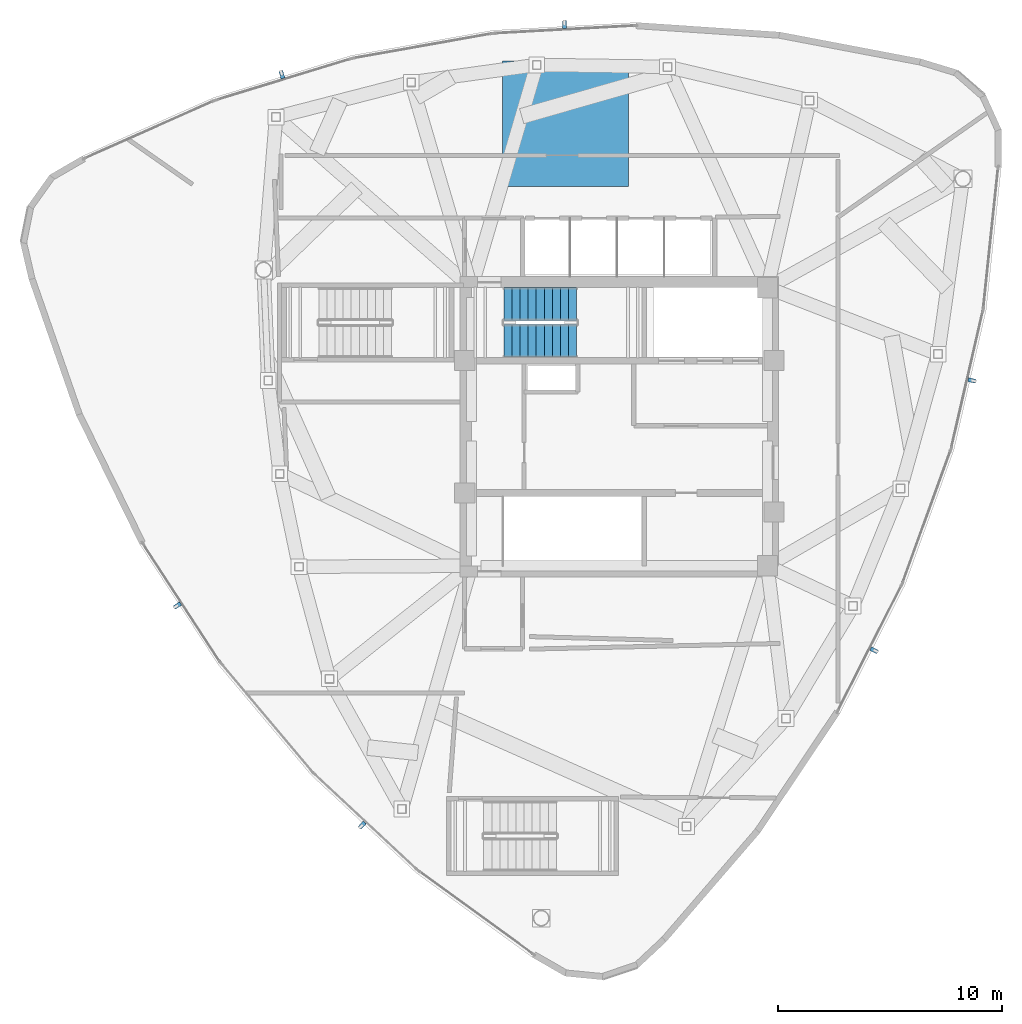
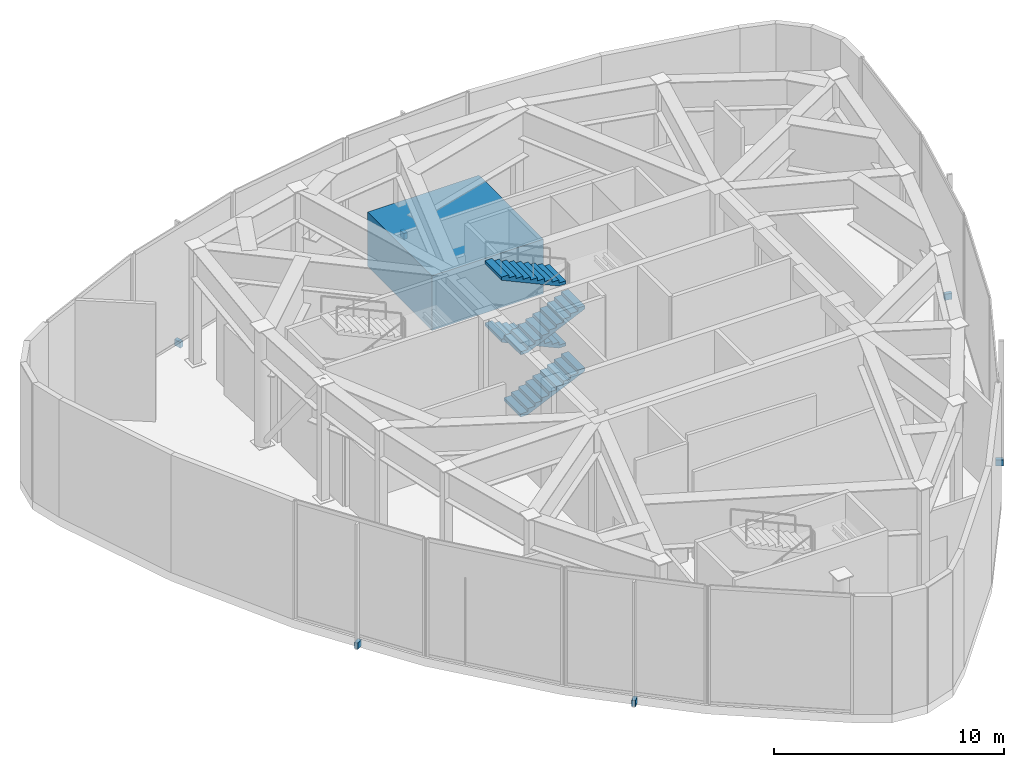
# One storey, part 10 of 13: 7 discrete accessories, 4 stair flights, 1 element without a shape of its own.
"""IFC4 building model written with IfcOpenShell, lengths in metres."""

import ifcopenshell
import ifcopenshell.guid

model = None  # the IFC model being written
_history = None  # IfcOwnerHistory: only IFC2X3 demands one
_inside = {}  # id of a spatial element -> (the spatial element, [elements in it])
_under = {}  # id of a project, library or spatial element -> (it, [spatial elements below it])
_declared = {}  # id of a project -> (the project, [libraries it declares])
_typed = {}  # id of a type object -> (the type object, [elements of that type])
_made_of = {}  # id of a material, layer set ... -> (it, [elements and type objects made of it])


def new_model(schema):
    """Start an empty IFC model of exactly this schema.

    Asked for "IFC4X3", IfcOpenShell would pick the latest addendum, in which some entities
    have other attributes; the version numbers below select the first issue.
    IFC2X3 requires an IfcOwnerHistory on every rooted entity: one is made here for all.
    """
    global model, _history
    if schema == "IFC4X3":
        model = ifcopenshell.file(schema_version=(4, 3, 0, 0))
    else:
        model = ifcopenshell.file(schema=schema)
    _inside.clear()
    _under.clear()
    _declared.clear()
    _typed.clear()
    _made_of.clear()
    _history = None
    if model.schema == "IFC2X3":
        org = make("IfcOrganization", Name="unknown")
        user = make(
            "IfcPersonAndOrganization",
            ThePerson=make("IfcPerson", FamilyName="unknown"),
            TheOrganization=org,
        )
        app = make(
            "IfcApplication",
            ApplicationDeveloper=org,
            Version="unknown",
            ApplicationFullName="unknown",
            ApplicationIdentifier="unknown",
        )
        _history = make(
            "IfcOwnerHistory",
            OwningUser=user,
            OwningApplication=app,
            ChangeAction="ADDED",
            CreationDate=0,
        )
    return model


def make(cls, **values):
    """One entity of the class cls with the attributes given. An attribute that is None is left unset."""
    return model.create_entity(
        cls, **{name: value for name, value in values.items() if value is not None}
    )


def rooted(cls, **values):
    """An entity with a GlobalId (a new one), such as an element, a storey or a relation."""
    return make(cls, GlobalId=ifcopenshell.guid.new(), OwnerHistory=_history, **values)


def si_unit(unit_type, name, prefix=None):
    """IfcSIUnit, for example si_unit("LENGTHUNIT", "METRE", prefix="MILLI")."""
    return make("IfcSIUnit", UnitType=unit_type, Prefix=prefix, Name=name)


def assignment(units):
    """IfcUnitAssignment: the units of a project."""
    return None if units is None else make("IfcUnitAssignment", Units=units)


def point(xyz):
    """IfcCartesianPoint."""
    return None if xyz is None else make("IfcCartesianPoint", Coordinates=xyz)


def direction(xyz):
    """IfcDirection."""
    return None if xyz is None else make("IfcDirection", DirectionRatios=xyz)


def frame(location, z_axis=None, x_axis=None):
    """IfcAxis2Placement3D, a coordinate frame: its origin and axes. An axis left out is left unset."""
    return make(
        "IfcAxis2Placement3D",
        Location=point(location),
        Axis=direction(z_axis),
        RefDirection=direction(x_axis),
    )


def frame_2d(location, x_axis=None):
    """IfcAxis2Placement2D, a coordinate frame in the plane: its origin and x axis."""
    return make(
        "IfcAxis2Placement2D", Location=point(location), RefDirection=direction(x_axis)
    )


def origin():
    """The frame at (0, 0, 0) with its axes left unset."""
    return frame((0.0, 0.0, 0.0))


def origin_2d():
    """The frame at (0, 0) in the plane with its x axis left unset."""
    return frame_2d((0.0, 0.0))


def place(relative_to, where):
    """IfcLocalPlacement: puts the frame where relative to a parent placement (None: the world)."""
    return make(
        "IfcLocalPlacement", PlacementRelTo=relative_to, RelativePlacement=where
    )


def context(
    kind, dimensions, precision=None, world=None, true_north=None, identifier=None
):
    """IfcGeometricRepresentationContext, for example the 3D "Model" context."""
    return make(
        "IfcGeometricRepresentationContext",
        ContextIdentifier=identifier,
        ContextType=kind,
        CoordinateSpaceDimension=dimensions,
        Precision=precision,
        WorldCoordinateSystem=world,
        TrueNorth=true_north,
    )


def subcontext(parent, identifier, kind, view, scale=None):
    """IfcGeometricRepresentationSubContext, for example "Body" below "Model"."""
    return make(
        "IfcGeometricRepresentationSubContext",
        ContextIdentifier=identifier,
        ContextType=kind,
        ParentContext=parent,
        TargetScale=scale,
        TargetView=view,
    )


def project(units=None, contexts=None):
    """IfcProject with its units and contexts."""
    return rooted(
        "IfcProject",
        Name="project",
        RepresentationContexts=contexts,
        UnitsInContext=assignment(units),
    )


def spatial(cls, under=None, at=None, **own):
    """A site, building, storey or space (cls), placed at a placement, below another one or the project."""
    s = rooted(cls, ObjectPlacement=at, **own)
    if under is not None:
        _under.setdefault(under.id(), (under, []))[1].append(s)
    return s


def polyline(points):
    """IfcPolyline through the points."""
    return make("IfcPolyline", Points=[point(p) for p in points])


def profile(cls, at=None, kind="AREA", **sizes):
    """A parametric profile (cls). Its sizes go by their IFC names, for example OverallWidth=200.0."""
    return make(cls, ProfileType=kind, Position=at, **sizes)


def rectangle(**sizes):
    """IfcRectangleProfileDef."""
    return profile("IfcRectangleProfileDef", **sizes)


def outline(outer, holes=None, kind="AREA"):
    """IfcArbitraryClosedProfileDef: a profile drawn as a closed curve; with holes, ...WithVoids."""
    if holes is None:
        return make("IfcArbitraryClosedProfileDef", ProfileType=kind, OuterCurve=outer)
    return make(
        "IfcArbitraryProfileDefWithVoids",
        ProfileType=kind,
        OuterCurve=outer,
        InnerCurves=holes,
    )


def extrude(swept, where, along, depth):
    """IfcExtrudedAreaSolid: the profile swept, set in the frame where, extruded along a direction by depth."""
    return make(
        "IfcExtrudedAreaSolid",
        SweptArea=swept,
        Position=where,
        ExtrudedDirection=direction(along),
        Depth=depth,
    )


def shape(context_of_items, identifier, shape_type, items):
    """IfcShapeRepresentation: the items that make up one representation, for example the "Body"."""
    return make(
        "IfcShapeRepresentation",
        ContextOfItems=context_of_items,
        RepresentationIdentifier=identifier,
        RepresentationType=shape_type,
        Items=items,
    )


def source(mapping_origin, context_of_items, identifier, shape_type, items):
    """IfcRepresentationMap: a shape defined once, which mapped items show again and again."""
    return make(
        "IfcRepresentationMap",
        MappingOrigin=mapping_origin,
        MappedRepresentation=shape(context_of_items, identifier, shape_type, items),
    )


def transform(
    local_origin,
    x_axis=None,
    y_axis=None,
    z_axis=None,
    scale=None,
    scale2=None,
    scale3=None,
    uniform=True,
):
    """IfcCartesianTransformationOperator3D, or its non-uniform kind. x_axis, y_axis, z_axis: its Axis1, 2, 3."""
    if uniform:
        return make(
            "IfcCartesianTransformationOperator3D",
            Axis1=direction(x_axis),
            Axis2=direction(y_axis),
            LocalOrigin=point(local_origin),
            Scale=scale,
            Axis3=direction(z_axis),
        )
    return make(
        "IfcCartesianTransformationOperator3DnonUniform",
        Axis1=direction(x_axis),
        Axis2=direction(y_axis),
        LocalOrigin=point(local_origin),
        Scale=scale,
        Axis3=direction(z_axis),
        Scale2=scale2,
        Scale3=scale3,
    )


def mapped(mapping_source, mapping_target):
    """IfcMappedItem: shows the shape of a source again, moved by a transform."""
    return make(
        "IfcMappedItem", MappingSource=mapping_source, MappingTarget=mapping_target
    )


def material(Name=None, Category=None):
    """IfcMaterial."""
    return make("IfcMaterial", Name=Name, Category=Category)


def made_of(thing, what):
    """Note that an element or type object is made of a material, layer set ...; save() writes the relation."""
    if what is not None:
        _made_of.setdefault(what.id(), (what, []))[1].append(thing)
    return thing


def type_object(cls, material=None, **own):
    """A type object (cls), such as IfcWallType, which elements share."""
    return made_of(rooted(cls, **own), material)


def type_shapes(of_type, sources):
    """Give a type object the sources (RepresentationMaps) that its elements show as mapped items."""
    of_type.RepresentationMaps = sources


def element(
    cls,
    number,
    at=None,
    inside=None,
    cuts=None,
    type_object=None,
    material=None,
    context=None,
    identifier="Body",
    shape_type=None,
    held_by="IfcProductDefinitionShape",
    body=None,
    shapes=None,
    **own,
):
    """One element of the class cls, such as IfcWall. Its Tag is "e" and its number.

    at: its placement. inside: the storey or other place that contains it. cuts: it is an
    opening in that element (IfcRelVoidsElement). A single representation is given by context,
    identifier, shape_type and body (its items); several are given by shapes. held_by: the class
    of the entity that holds the representations. save() writes the other relations.
    """
    e = rooted(cls, Tag="e%d" % number, ObjectPlacement=at, **own)
    if body is not None:
        shapes = [shape(context, identifier, shape_type, body)]
    if shapes is not None:
        e.Representation = make(held_by, Representations=shapes)
    if inside is not None:
        _inside.setdefault(inside.id(), (inside, []))[1].append(e)
    if cuts is not None:
        rooted(
            "IfcRelVoidsElement", RelatingBuildingElement=cuts, RelatedOpeningElement=e
        )
    if type_object is not None:
        _typed.setdefault(type_object.id(), (type_object, []))[1].append(e)
    return made_of(e, material)


def aggregate(whole, parts):
    """IfcRelAggregates: a whole, such as a stair, and the parts it consists of."""
    return rooted("IfcRelAggregates", RelatingObject=whole, RelatedObjects=parts)


def save(model, path):
    """Write the relations noted so far, then the file.

    IfcRelAggregates (storeys below a building ...), IfcRelContainedInSpatialStructure (elements
    in a storey), IfcRelDefinesByType, IfcRelAssociatesMaterial and IfcRelDeclares: one each for
    every whole, place, type object, material and project.
    """
    for whole, parts in _under.values():
        aggregate(whole, parts)
    for where, things in _inside.values():
        rooted(
            "IfcRelContainedInSpatialStructure",
            RelatedElements=things,
            RelatingStructure=where,
        )
    for kind, things in _typed.values():
        rooted("IfcRelDefinesByType", RelatedObjects=things, RelatingType=kind)
    for what, things in _made_of.values():
        rooted("IfcRelAssociatesMaterial", RelatedObjects=things, RelatingMaterial=what)
    for by, libraries in _declared.values():
        rooted("IfcRelDeclares", RelatingContext=by, RelatedDefinitions=libraries)
    model.write(path)


model = new_model("IFC4")

# Units and contexts
model_context = context("Model", 3, precision=1e-05, world=origin(), true_north=direction((0.0, 1.0)))
body_context = subcontext(model_context, "Body", "Model", "MODEL_VIEW")
ifc_project = project(units=[si_unit("LENGTHUNIT", "METRE"), si_unit("AREAUNIT", "SQUARE_METRE"), si_unit("VOLUMEUNIT", "CUBIC_METRE"), si_unit("PLANEANGLEUNIT", "RADIAN"), si_unit("MASSUNIT", "GRAM", prefix="KILO")], contexts=[model_context])

# Site, building, storey
site_placement = place(None, origin())
site = spatial("IfcSite", under=ifc_project, at=site_placement, CompositionType="ELEMENT")
building_placement = place(site_placement, origin())
building = spatial("IfcBuilding", under=site, at=building_placement, Name="Tavelor Broadcast Tower", CompositionType="ELEMENT")
storey_placement = place(building_placement, frame((0.0, 0.0, 325.5)))
storey = spatial("IfcBuildingStorey", under=building, at=storey_placement, Name="L78", CompositionType="ELEMENT", Elevation=325.5)

# Stair, stair flights
ifc_material_1 = material(Name="Concrete C40/50", Category="concrete")
stair_type = type_object("IfcStairType", Name="Reinforced Concrete Protected Dogleg Stair 1450 mm", PredefinedType="HALF_TURN_STAIR", material=ifc_material_1)
stair_placement = place(storey_placement, origin())
stair = element("IfcStair", 1, at=stair_placement, inside=storey, type_object=stair_type, Name="L78 Protected Core Exit Stair ST1", PredefinedType="HALF_TURN_STAIR")
stair_flight_type = type_object("IfcStairFlightType", Name="Reinforced Concrete Stair Flight 1450 mm", PredefinedType="STRAIGHT", material=ifc_material_1)
stair_flight_1_placement = place(storey_placement, frame((44.85009765625, 48.824951171875, 0.0), z_axis=(0.0, 0.0, 1.0), x_axis=(1.0, 0.0, 0.0)))
stair_flight_1 = element("IfcStairFlight", 2, at=stair_flight_1_placement, type_object=stair_flight_type, Name="ST1 flight 1", NumberOfRisers=10, NumberOfTreads=9, PredefinedType="STRAIGHT", RiserHeight=0.165, TreadLength=0.36, context=body_context, shape_type="SweptSolid", body=[
    extrude(outline(polyline([(0.0, 0.0), (0.0, 0.1650390625), (0.360107421875, 0.1650390625), (0.360107421875, 0.330078125), (0.719970703125, 0.330078125), (0.719970703125, 0.4951171875), (1.080078125, 0.4951171875), (1.080078125, 0.659912109375), (1.43994140625, 0.659912109375), (1.43994140625, 0.824951171875), (1.800048828125, 0.824951171875), (1.800048828125, 0.989990234375), (2.159912109375, 0.989990234375), (2.159912109375, 1.155029296875), (2.52001953125, 1.155029296875), (2.52001953125, 1.320068359375), (2.8798828125, 1.320068359375), (2.8798828125, 1.485107421875), (3.239990234375, 1.485107421875), (3.239990234375, 1.64990234375), (3.239990234375, 1.320068359375), (0.35986328125, 0.0), (0.0, 0.0)])), frame((0.0, 0.72509765625, 0.0), z_axis=(0.0, -1.0, 0.0), x_axis=(1.0, 0.0, 0.0)), (0.0, 0.0, 1.0), 1.449951171875),
])
stair_flight_2_placement = place(storey_placement, frame((48.090087890625, 50.47509765625, 1.64990234375), z_axis=(0.0, 0.0, 1.0), x_axis=(-1.0, 0.0, 0.0)))
stair_flight_2 = element("IfcStairFlight", 3, at=stair_flight_2_placement, type_object=stair_flight_type, Name="ST1 flight 2", NumberOfRisers=10, NumberOfTreads=9, PredefinedType="STRAIGHT", RiserHeight=0.165, TreadLength=0.36, context=body_context, shape_type="SweptSolid", body=[
    extrude(outline(polyline([(0.0, 0.0), (0.0, 0.1650390625), (0.360107421875, 0.1650390625), (0.360107421875, 0.330078125), (0.719970703125, 0.330078125), (0.719970703125, 0.4951171875), (1.080078125, 0.4951171875), (1.080078125, 0.659912109375), (1.43994140625, 0.659912109375), (1.43994140625, 0.824951171875), (1.800048828125, 0.824951171875), (1.800048828125, 0.989990234375), (2.159912109375, 0.989990234375), (2.159912109375, 1.155029296875), (2.52001953125, 1.155029296875), (2.52001953125, 1.320068359375), (2.8798828125, 1.320068359375), (2.8798828125, 1.485107421875), (3.239990234375, 1.485107421875), (3.239990234375, 1.64990234375), (3.239990234375, 1.320068359375), (0.35986328125, 0.0), (0.0, 0.0)])), frame((0.0, 0.72509765625, 0.0), z_axis=(0.0, -1.0, 0.0), x_axis=(1.0, 0.0, 0.0)), (0.0, 0.0, 1.0), 1.449951171875),
])
stair_flight_3_placement = place(storey_placement, frame((44.85009765625, 48.824951171875, 3.300048828125), z_axis=(0.0, 0.0, 1.0), x_axis=(1.0, 0.0, 0.0)))
stair_flight_3 = element("IfcStairFlight", 4, at=stair_flight_3_placement, type_object=stair_flight_type, Name="ST1 flight 3", NumberOfRisers=10, NumberOfTreads=9, PredefinedType="STRAIGHT", RiserHeight=0.165, TreadLength=0.36, context=body_context, shape_type="SweptSolid", body=[
    extrude(outline(polyline([(0.0, 0.0), (0.0, 0.1650390625), (0.360107421875, 0.1650390625), (0.360107421875, 0.330078125), (0.719970703125, 0.330078125), (0.719970703125, 0.4951171875), (1.080078125, 0.4951171875), (1.080078125, 0.659912109375), (1.43994140625, 0.659912109375), (1.43994140625, 0.824951171875), (1.800048828125, 0.824951171875), (1.800048828125, 0.989990234375), (2.159912109375, 0.989990234375), (2.159912109375, 1.155029296875), (2.52001953125, 1.155029296875), (2.52001953125, 1.320068359375), (2.8798828125, 1.320068359375), (2.8798828125, 1.485107421875), (3.239990234375, 1.485107421875), (3.239990234375, 1.64990234375), (3.239990234375, 1.320068359375), (0.35986328125, 0.0), (0.0, 0.0)])), frame((0.0, 0.72509765625, 0.0), z_axis=(0.0, -1.0, 0.0), x_axis=(1.0, 0.0, 0.0)), (0.0, 0.0, 1.0), 1.449951171875),
])
stair_flight_4_placement = place(storey_placement, frame((48.090087890625, 50.47509765625, 4.949951171875), z_axis=(0.0, 0.0, 1.0), x_axis=(-1.0, 0.0, 0.0)))
stair_flight_4 = element("IfcStairFlight", 5, at=stair_flight_4_placement, type_object=stair_flight_type, Name="ST1 flight 4", NumberOfRisers=10, NumberOfTreads=9, PredefinedType="STRAIGHT", RiserHeight=0.165, TreadLength=0.36, context=body_context, shape_type="SweptSolid", body=[
    extrude(outline(polyline([(0.0, 0.0), (0.0, 0.1650390625), (0.360107421875, 0.1650390625), (0.360107421875, 0.330078125), (0.719970703125, 0.330078125), (0.719970703125, 0.4951171875), (1.080078125, 0.4951171875), (1.080078125, 0.659912109375), (1.43994140625, 0.659912109375), (1.43994140625, 0.824951171875), (1.800048828125, 0.824951171875), (1.800048828125, 0.989990234375), (2.159912109375, 0.989990234375), (2.159912109375, 1.155029296875), (2.52001953125, 1.155029296875), (2.52001953125, 1.320068359375), (2.8798828125, 1.320068359375), (2.8798828125, 1.485107421875), (3.239990234375, 1.485107421875), (3.239990234375, 1.64990234375), (3.239990234375, 1.320068359375), (0.35986328125, 0.0), (0.0, 0.0)])), frame((0.0, 0.72509765625, 0.0), z_axis=(0.0, -1.0, 0.0), x_axis=(1.0, 0.0, 0.0)), (0.0, 0.0, 1.0), 1.449951171875),
])
aggregate(stair, [stair_flight_1, stair_flight_2, stair_flight_3, stair_flight_4])

# Discrete accessories
ifc_material_2 = material(Name="Steel S460", Category="steel")
discrete_accessory_type_1 = type_object("IfcDiscreteAccessoryType", Name="Pendulum Tuned Mass Damper TMD01 600t", PredefinedType="USERDEFINED", material=ifc_material_2)
shared_shape_1 = source(origin(), body_context, "Body", "SweptSolid", [
    extrude(rectangle(XDim=5.60009765625, YDim=5.60009765625, at=origin_2d()), origin(), (0.0, 0.0, 1.0), 2.89990234375),
])
type_shapes(discrete_accessory_type_1, [shared_shape_1])
discrete_accessory_placement = place(storey_placement, frame((47.59765625, 58.517578125, 0.0), z_axis=(0.0, 0.0, 1.0), x_axis=(1.0, 0.0, 0.0)))
element("IfcDiscreteAccessory", 6, at=discrete_accessory_placement, inside=storey, type_object=discrete_accessory_type_1, Name="Pendulum Tuned Mass Damper TMD01 600t", ObjectType="TUNED MASS DAMPER", PredefinedType="USERDEFINED", context=body_context, shape_type="MappedRepresentation", body=[
    mapped(shared_shape_1, transform((0.0, 0.0, 0.0), scale=1.0)),
])
ifc_material_3 = material(Name="Steel S355", Category="steel")
discrete_accessory_type_2 = type_object("IfcDiscreteAccessoryType", Name="Stainless Baguette Outrigger Support Bracket 260x180", PredefinedType="BRACKET", material=ifc_material_3)
shared_shape_2 = source(origin(), body_context, "Body", "SweptSolid", [
    extrude(rectangle(XDim=0.179931640625, YDim=0.340087890625, at=origin_2d()), origin(), (0.0, 0.0, 1.0), 0.323974609375),
])
type_shapes(discrete_accessory_type_2, [shared_shape_2])
for number, where, z_axis, x_axis, name in (
    (7, (30.290283203125, 37.0283203125, -0.38720703125), (0.0, 0.0, 1.0), (0.546394346734, -0.837528040042, 0.0), "L78 Baguette Outrigger Bracket 739"),
    (8, (38.529052734375, 27.23583984375, -0.38720703125), (0.0, 0.0, 1.0), (0.731710694857, -0.68161533069, 0.0), "L78 Baguette Outrigger Bracket 740"),
    (9, (61.358642578125, 35.034423828125, -0.38720703125), (0.0, 0.0, 1.0), (0.45196770322, 0.892034301609, 0.0), "L78 Baguette Outrigger Bracket 741"),
    (10, (65.7197265625, 47.065673828125, -0.38720703125), (0.0, 0.0, 1.0), (0.224440844558, 0.974487715312, 0.0), "L78 Baguette Outrigger Bracket 742"),
    (11, (47.551025390625, 62.937255859375, -0.38720703125), (0.0, 0.0, 1.0), (-0.998517732425, -0.054427364735, 0.0), "L78 Baguette Outrigger Bracket 743"),
    (12, (34.951171875, 60.698486328125, -0.38720703125), (0.0, 0.0, 1.0), (-0.956151539415, -0.292872384621, 0.0), "L78 Baguette Outrigger Bracket 744"),
):
    element("IfcDiscreteAccessory", number, at=place(storey_placement, frame(where, z_axis=z_axis, x_axis=x_axis)), inside=storey, type_object=discrete_accessory_type_2, Name=name, PredefinedType="BRACKET", context=body_context, shape_type="MappedRepresentation", body=[
        mapped(shared_shape_2, transform((0.0, 0.0, 0.0), scale=1.0)),
    ])

save(model, "model.ifc")
